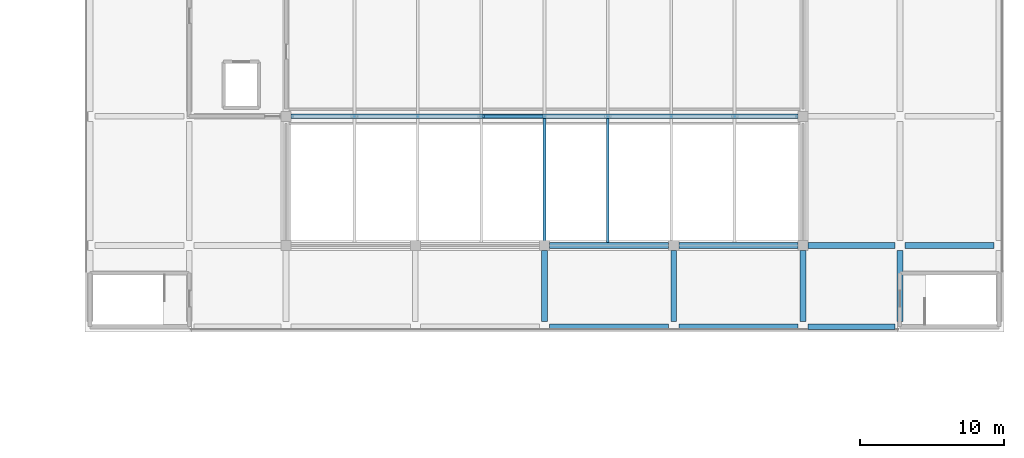
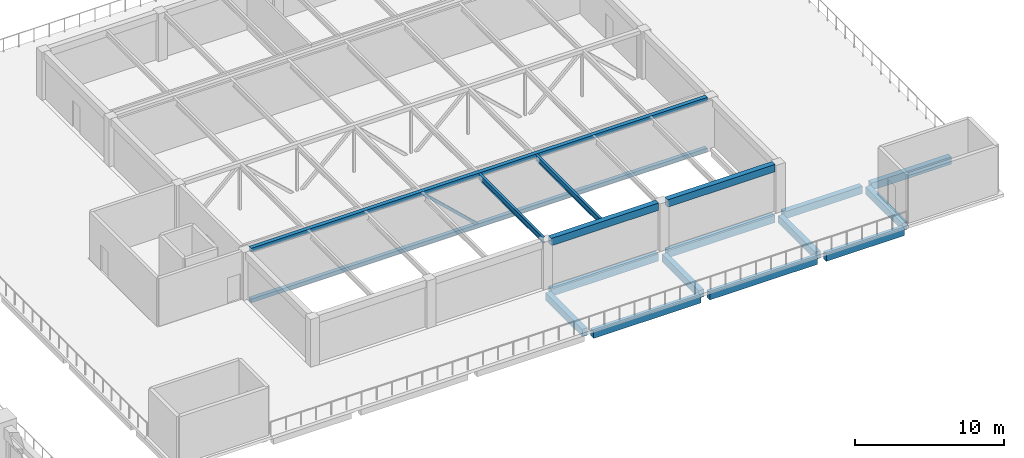
# One storey, part 4 of 30: 15 beams, 3 members.
"""IFC4 building model written with IfcOpenShell, lengths in metres."""

from ifc_helpers import new_model, si_unit, direction, frame, origin, origin_2d, place, context, subcontext, project, spatial, rectangle, hollow_rectangle, i_section, extrude, material, material_profile, profile_set, type_object, element, save


model = new_model("IFC4")

# Units and contexts
model_context = context("Model", 3, precision=1e-05, world=origin(), true_north=direction((0.0, 1.0)))
body_context = subcontext(model_context, "Body", "Model", "MODEL_VIEW")
ifc_project = project(units=[si_unit("LENGTHUNIT", "METRE"), si_unit("AREAUNIT", "SQUARE_METRE"), si_unit("VOLUMEUNIT", "CUBIC_METRE"), si_unit("PLANEANGLEUNIT", "RADIAN"), si_unit("MASSUNIT", "GRAM", prefix="KILO")], contexts=[model_context])

# Site, building, storey
site_placement = place(None, origin())
site = spatial("IfcSite", under=ifc_project, at=site_placement, CompositionType="ELEMENT")
building_placement = place(site_placement, origin())
building = spatial("IfcBuilding", under=site, at=building_placement, Name="Corbel Stack Research Tower", CompositionType="ELEMENT")
storey_placement = place(building_placement, frame((0.0, 0.0, 19.5)))
storey = spatial("IfcBuildingStorey", under=building, at=storey_placement, Name="L04", CompositionType="ELEMENT", Elevation=19.5)

# Beams
ifc_material_1 = material(Name="Concrete C40/50", Category="concrete")
ifc_material_profile_1 = material_profile(ifc_material_1, rectangle(XDim=0.39990234375, YDim=0.60009765625, at=origin_2d()), Name="RC 400 x 600")
ifc_profile_set_1 = profile_set([ifc_material_profile_1], Name="Concrete C40/50")
beam_type_1 = type_object("IfcBeamType", Name="HB1 RC beam 400 x 600", PredefinedType="BEAM", material=ifc_profile_set_1)
beam_1_placement = place(storey_placement, frame((69.300048828125, -23.64990234375, -0.550048828125), z_axis=(1.0, 0.0, 0.0), x_axis=(0.0, 1.0, 0.0)))
element("IfcBeam", 1, at=beam_1_placement, inside=storey, type_object=beam_type_1, Name="Floor beam L04 H5HA-H6HA", PredefinedType="BEAM", context=body_context, shape_type="SweptSolid", body=[
    extrude(rectangle(XDim=0.39990234375, YDim=0.60009765625, at=origin_2d()), origin(), (0.0, 0.0, 1.0), 8.300048828125),
])
beam_2_placement = place(storey_placement, frame((68.949951171875, -23.300048828125, -0.550048828125), z_axis=(0.0, 1.0, 0.0), x_axis=(-1.0, 0.0, 0.0)))
element("IfcBeam", 2, at=beam_2_placement, inside=storey, type_object=beam_type_1, Name="Floor beam L04 H5HA-H5HB", PredefinedType="BEAM", context=body_context, shape_type="SweptSolid", body=[
    extrude(rectangle(XDim=0.39990234375, YDim=0.60009765625, at=origin_2d()), origin(), (0.0, 0.0, 1.0), 4.949951171875),
])
for number, where, z_axis, x_axis, name in (
    (3, (69.300048828125, -18.0, -0.550048828125), (1.0, 0.0, 0.0), (0.0, 1.0, 0.0), "Floor beam L04 H5HB-H6HB"),
    (4, (78.300048828125, -23.64990234375, -0.550048828125), (1.0, 0.0, 0.0), (0.0, 1.0, 0.0), "Floor beam L04 H6HA-H7HA"),
):
    element("IfcBeam", number, at=place(storey_placement, frame(where, z_axis=z_axis, x_axis=x_axis)), inside=storey, type_object=beam_type_1, Name=name, PredefinedType="BEAM", context=body_context, shape_type="SweptSolid", body=[
        extrude(rectangle(XDim=0.39990234375, YDim=0.60009765625, at=origin_2d()), origin(), (0.0, 0.0, 1.0), 8.300048828125),
    ])
beam_3_placement = place(storey_placement, frame((77.949951171875, -23.300048828125, -0.550048828125), z_axis=(0.0, 1.0, 0.0), x_axis=(-1.0, 0.0, 0.0)))
element("IfcBeam", 5, at=beam_3_placement, inside=storey, type_object=beam_type_1, Name="Floor beam L04 H6HA-H6HB", PredefinedType="BEAM", context=body_context, shape_type="SweptSolid", body=[
    extrude(rectangle(XDim=0.39990234375, YDim=0.60009765625, at=origin_2d()), origin(), (0.0, 0.0, 1.0), 4.949951171875),
])
beam_4_placement = place(storey_placement, frame((78.300048828125, -18.0, -0.550048828125), z_axis=(1.0, 0.0, 0.0), x_axis=(0.0, 1.0, 0.0)))
element("IfcBeam", 6, at=beam_4_placement, inside=storey, type_object=beam_type_1, Name="Floor beam L04 H6HB-H7HB", PredefinedType="BEAM", context=body_context, shape_type="SweptSolid", body=[
    extrude(rectangle(XDim=0.39990234375, YDim=0.60009765625, at=origin_2d()), origin(), (0.0, 0.0, 1.0), 8.300048828125),
])
beam_5_placement = place(storey_placement, frame((87.300048828125, -23.64990234375, -0.550048828125), z_axis=(1.0, 0.0, 0.0), x_axis=(0.0, 1.0, 0.0)))
element("IfcBeam", 7, at=beam_5_placement, inside=storey, type_object=beam_type_1, Name="Floor beam L04 H7HA-H8HA", PredefinedType="BEAM", context=body_context, shape_type="SweptSolid", body=[
    extrude(rectangle(XDim=0.39990234375, YDim=0.60009765625, at=origin_2d()), origin(), (0.0, 0.0, 1.0), 6.050048828125),
])
beam_6_placement = place(storey_placement, frame((86.949951171875, -23.300048828125, -0.550048828125), z_axis=(0.0, 1.0, 0.0), x_axis=(-1.0, 0.0, 0.0)))
element("IfcBeam", 8, at=beam_6_placement, inside=storey, type_object=beam_type_1, Name="Floor beam L04 H7HA-H7HB", PredefinedType="BEAM", context=body_context, shape_type="SweptSolid", body=[
    extrude(rectangle(XDim=0.39990234375, YDim=0.60009765625, at=origin_2d()), origin(), (0.0, 0.0, 1.0), 4.949951171875),
])
beam_7_placement = place(storey_placement, frame((87.300048828125, -18.0, -0.550048828125), z_axis=(1.0, 0.0, 0.0), x_axis=(0.0, 1.0, 0.0)))
element("IfcBeam", 9, at=beam_7_placement, inside=storey, type_object=beam_type_1, Name="Floor beam L04 H7HB-H8HB", PredefinedType="BEAM", context=body_context, shape_type="SweptSolid", body=[
    extrude(rectangle(XDim=0.39990234375, YDim=0.60009765625, at=origin_2d()), origin(), (0.0, 0.0, 1.0), 6.050048828125),
])
beam_8_placement = place(storey_placement, frame((93.699951171875, -23.300048828125, -0.550048828125), z_axis=(0.0, 1.0, 0.0), x_axis=(-1.0, 0.0, 0.0)))
element("IfcBeam", 10, at=beam_8_placement, inside=storey, type_object=beam_type_1, Name="Floor beam L04 H8HA-H8HB", PredefinedType="BEAM", context=body_context, shape_type="SweptSolid", body=[
    extrude(rectangle(XDim=0.39990234375, YDim=0.60009765625, at=origin_2d()), origin(), (0.0, 0.0, 1.0), 4.949951171875),
])
beam_9_placement = place(storey_placement, frame((94.050048828125, -18.0, -0.550048828125), z_axis=(1.0, 0.0, 0.0), x_axis=(0.0, 1.0, 0.0)))
element("IfcBeam", 11, at=beam_9_placement, inside=storey, type_object=beam_type_1, Name="Floor beam L04 H8HB-H9HB", PredefinedType="BEAM", context=body_context, shape_type="SweptSolid", body=[
    extrude(rectangle(XDim=0.39990234375, YDim=0.60009765625, at=origin_2d()), origin(), (0.0, 0.0, 1.0), 6.199951171875),
])
for number, where, z_axis, x_axis, name in (
    (12, (69.300048828125, -18.0, 3.60009765625), (1.0, 0.0, 0.0), (0.0, 1.0, 0.0), "Floor beam R H5HB-H6HB"),
    (13, (78.300048828125, -18.0, 3.60009765625), (1.0, 0.0, 0.0), (0.0, 1.0, 0.0), "Floor beam R H6HB-H7HB"),
):
    element("IfcBeam", number, at=place(storey_placement, frame(where, z_axis=z_axis, x_axis=x_axis)), inside=storey, type_object=beam_type_1, Name=name, PredefinedType="BEAM", context=body_context, shape_type="SweptSolid", body=[
        extrude(rectangle(XDim=0.39990234375, YDim=0.60009765625, at=origin_2d()), origin(), (0.0, 0.0, 1.0), 8.300048828125),
    ])
ifc_material_2 = material(Name="Steel S355", Category="steel")
ifc_material_profile_2 = material_profile(ifc_material_2, i_section(OverallWidth=0.18994140625, OverallDepth=0.45703125, WebThickness=0.009033203125, FlangeThickness=0.013916015625, at=origin_2d()), Name="W18x50")
ifc_profile_set_2 = profile_set([ifc_material_profile_2], Name="Steel S355")
beam_type_2 = type_object("IfcBeamType", Name="HB3 steel beam W18x50", PredefinedType="BEAM", material=ifc_profile_set_2)
for number, where, z_axis, x_axis, name in (
    (14, (68.949951171875, -17.800048828125, 3.67138671875), (0.0, 1.0, 0.0), (-1.0, 0.0, 0.0), "Steel floor beam R bay 1 line 4"),
    (15, (73.362548828125, -17.800048828125, 3.67138671875), (0.0, 1.0, 0.0), (-1.0, 0.0, 0.0), "Steel floor beam R bay 1 line 5"),
):
    element("IfcBeam", number, at=place(storey_placement, frame(where, z_axis=z_axis, x_axis=x_axis)), inside=storey, type_object=beam_type_2, Name=name, PredefinedType="BEAM", context=body_context, shape_type="SweptSolid", body=[
        extrude(i_section(OverallWidth=0.18994140625, OverallDepth=0.45703125, WebThickness=0.009033203125, FlangeThickness=0.013916015625, at=origin_2d()), origin(), (0.0, 0.0, 1.0), 8.6474609375),
    ])

# Members
ifc_material_3 = material(Name="Steel S355", Category="steel")
ifc_material_profile_3 = material_profile(ifc_material_3, hollow_rectangle(XDim=0.304931640625, YDim=0.304931640625, WallThickness=0.014892578125, at=origin_2d()), Name="HSS12x12x5/8")
ifc_profile_set_3 = profile_set([ifc_material_profile_3], Name="Steel S355")
member_type_1 = type_object("IfcMemberType", Name="HT1 truss chord HSS12x12x5/8", PredefinedType="CHORD", material=ifc_profile_set_3)
for number, where, z_axis, x_axis, name in (
    (16, (51.300048828125, -9.0, -0.402587890625), (1.0, 0.0, 0.0), (0.0, 1.0, 0.0), "Truss TB1 bottom chord"),
    (17, (51.300048828125, -9.0, 3.74755859375), (1.0, 0.0, 0.0), (0.0, 1.0, 0.0), "Truss TB1 top chord"),
):
    element("IfcMember", number, at=place(storey_placement, frame(where, z_axis=z_axis, x_axis=x_axis)), inside=storey, type_object=member_type_1, Name=name, PredefinedType="CHORD", context=body_context, shape_type="SweptSolid", body=[
        extrude(hollow_rectangle(XDim=0.304931640625, YDim=0.304931640625, WallThickness=0.014892578125, at=origin_2d()), origin(), (0.0, 0.0, 1.0), 35.300048828125),
    ])
ifc_material_4 = material(Name="Steel S355", Category="steel")
ifc_material_profile_4 = material_profile(ifc_material_4, hollow_rectangle(XDim=0.202880859375, YDim=0.202880859375, WallThickness=0.0087890625, at=origin_2d()), Name="HSS8x8x3/8")
ifc_profile_set_4 = profile_set([ifc_material_profile_4], Name="Steel S355")
member_type_2 = type_object("IfcMemberType", Name="HT2 truss diagonal HSS8x8x3/8", PredefinedType="BRACE", material=ifc_profile_set_4)
member_placement = place(storey_placement, frame((64.69970703125, -9.0, 3.594970703125), z_axis=(0.728438769744, 0.0, -0.685110909805), x_axis=(0.0, 1.0, 0.0)))
element("IfcMember", 18, at=member_placement, inside=storey, type_object=member_type_2, Name="Truss TB1 diagonal 4", PredefinedType="BRACE", context=body_context, shape_type="SweptSolid", body=[
    extrude(hollow_rectangle(XDim=0.202880859375, YDim=0.202880859375, WallThickness=0.0087890625, at=origin_2d()), origin(), (0.0, 0.0, 1.0), 5.6123046875),
])

save(model, "model.ifc")
